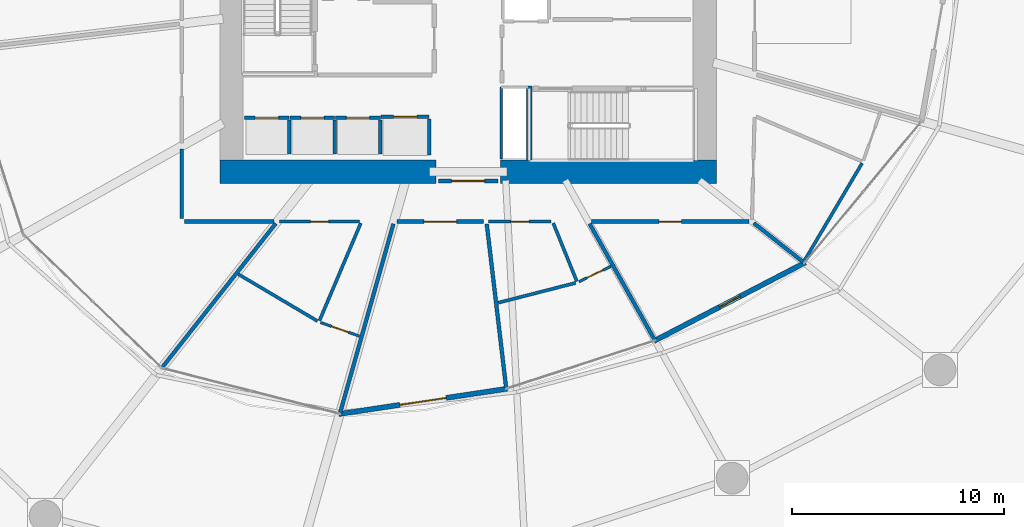
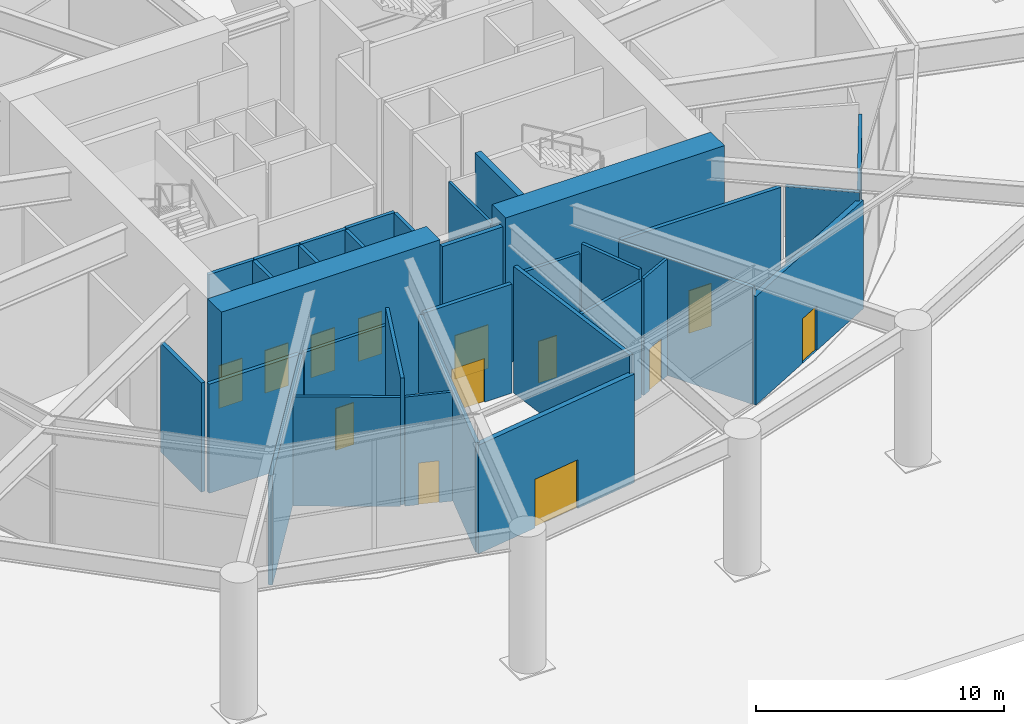
# One storey, part 21 of 28: 33 walls, 13 doors, 13 openings.
"""IFC4 building model written with IfcOpenShell, lengths in metres."""

from ifc_helpers import new_model, si_unit, direction, frame, frame_2d, origin, place, context, subcontext, project, spatial, rectangle, extrude, material, layer, layer_set, type_object, element, fill, save


model = new_model("IFC4")

# Units and contexts
model_context = context("Model", 3, precision=1e-05, world=origin(), true_north=direction((0.0, 1.0)))
body_context = subcontext(model_context, "Body", "Model", "MODEL_VIEW")
ifc_project = project(units=[si_unit("LENGTHUNIT", "METRE"), si_unit("AREAUNIT", "SQUARE_METRE"), si_unit("VOLUMEUNIT", "CUBIC_METRE"), si_unit("PLANEANGLEUNIT", "RADIAN"), si_unit("MASSUNIT", "GRAM", prefix="KILO")], contexts=[model_context])

# Site, building, storey
site_placement = place(None, origin())
site = spatial("IfcSite", under=ifc_project, at=site_placement, CompositionType="ELEMENT")
building_placement = place(site_placement, origin())
building = spatial("IfcBuilding", under=site, at=building_placement, Name="Kazma Halo Residences", CompositionType="ELEMENT")
storey_placement = place(building_placement, origin())
storey = spatial("IfcBuildingStorey", under=building, at=storey_placement, Name="L00", CompositionType="ELEMENT", Elevation=0.0)

# Walls
ifc_material_1 = material(Name="Concrete C80/95", Category="concrete")
ifc_layer_1 = layer(ifc_material_1, 1.10009765625)
ifc_layer_set_1 = layer_set([ifc_layer_1], Name="Concrete C80/95")
wall_type_1 = type_object("IfcWallType", Name="WL-CORE-1100", PredefinedType="SHEAR", material=ifc_layer_set_1)
for number, where, z_axis, x_axis, name in (
    (1, (36.699951171875, 33.449951171875, 0.0), (0.0, 0.0, 1.0), (1.0, 0.0, 0.0), "L00 central core shear wall SW"),
    (2, (49.949951171875, 33.449951171875, 0.0), (0.0, 0.0, 1.0), (1.0, 0.0, 0.0), "L00 central core shear wall SE"),
):
    element("IfcWall", number, at=place(storey_placement, frame(where, z_axis=z_axis, x_axis=x_axis)), inside=storey, type_object=wall_type_1, Name=name, PredefinedType="SHEAR", context=body_context, shape_type="SweptSolid", body=[
        extrude(rectangle(XDim=10.199951171875, YDim=1.10009765625, at=frame_2d((5.10009765625, 0.0))), origin(), (0.0, 0.0, 1.0), 7.199951171875),
    ])
ifc_material_2 = material(Name="Concrete C60/75", Category="concrete")
ifc_layer_2 = layer(ifc_material_2, 0.280029296875)
ifc_layer_set_2 = layer_set([ifc_layer_2], Name="Concrete C60/75")
wall_type_2 = type_object("IfcWallType", Name="WL-CORE-ST-280", PredefinedType="SHEAR", material=ifc_layer_set_2)
wall_1_placement = place(storey_placement, frame((51.31005859375, 34.0, 0.0), z_axis=(0.0, 0.0, 1.0), x_axis=(0.0, 1.0, 0.0)))
element("IfcWall", 3, at=wall_1_placement, inside=storey, type_object=wall_type_2, Name="L00 stairwell bearing wall ST03-W", PredefinedType="SHEAR", context=body_context, shape_type="SweptSolid", body=[
    extrude(rectangle(XDim=3.5, YDim=0.280029296875, at=frame_2d((1.75, 0.0))), origin(), (0.0, 0.0, 1.0), 7.199951171875),
])
ifc_material_3 = material(Name="Acoustic Twin-Stud Gypsum")
ifc_layer_3 = layer(ifc_material_3, 0.179931640625)
ifc_layer_set_3 = layer_set([ifc_layer_3], Name="Acoustic Twin-Stud Gypsum")
wall_type_3 = type_object("IfcWallType", Name="WL-DEM-180", PredefinedType="PARTITIONING", material=ifc_layer_set_3)
wall_2_placement = place(storey_placement, frame((34.89990234375, 34.523681640625, 0.0), z_axis=(0.0, 0.0, 1.0), x_axis=(0.0, -1.0, 0.0)))
element("IfcWall", 4, at=wall_2_placement, inside=storey, type_object=wall_type_3, Name="L00 Residents Cafe Lounge corridor wall", PredefinedType="PARTITIONING", context=body_context, shape_type="SweptSolid", body=[
    extrude(rectangle(XDim=3.28369140625, YDim=0.179931640625, at=frame_2d((1.641845703125, 0.0))), origin(), (0.0, 0.0, 1.0), 5.375),
])
wall_3_placement = place(storey_placement, frame((35.0400390625, 31.10009765625, 0.0), z_axis=(0.0, 0.0, 1.0), x_axis=(1.0, 0.0, 0.0)))
element("IfcWall", 5, at=wall_3_placement, inside=storey, type_object=wall_type_3, Name="L00 Residents Cafe Lounge corridor wall", PredefinedType="PARTITIONING", context=body_context, shape_type="SweptSolid", body=[
    extrude(rectangle(XDim=4.22705078125, YDim=0.179931640625, at=frame_2d((2.113525390625, 0.0))), origin(), (0.0, 0.0, 1.0), 5.375),
])
wall_4_placement = place(storey_placement, frame((39.339111328125, 31.013671875, 0.0), z_axis=(0.0, 0.0, 1.0), x_axis=(-0.619079077481, -0.785328654657, 0.0)))
element("IfcWall", 6, at=wall_4_placement, inside=storey, type_object=wall_type_3, Name="L00 radial partition wall 09", PredefinedType="PARTITIONING", context=body_context, shape_type="SweptSolid", body=[
    extrude(rectangle(XDim=8.671630859375, YDim=0.179931640625, at=frame_2d((4.3359375, 0.0))), origin(), (0.0, 0.0, 1.0), 5.375),
])
wall_5_placement = place(storey_placement, frame((44.89599609375, 30.994140625, 0.0), z_axis=(0.0, 0.0, 1.0), x_axis=(-0.271432731122, -0.962457413331, 0.0)))
element("IfcWall", 7, at=wall_5_placement, inside=storey, type_object=wall_type_3, Name="L00 radial partition wall 10", PredefinedType="PARTITIONING", context=body_context, shape_type="SweptSolid", body=[
    extrude(rectangle(XDim=9.30029296875, YDim=0.179931640625, at=frame_2d((4.650146484375, 0.0))), origin(), (0.0, 0.0, 1.0), 5.375),
])

# Wall, opening, door
wall_6_placement = place(storey_placement, frame((45.06591796875, 31.10009765625, 0.0), z_axis=(0.0, 0.0, 1.0), x_axis=(1.0, 0.0, 0.0)))
wall_6 = element("IfcWall", 8, at=wall_6_placement, inside=storey, type_object=wall_type_3, Name="L00 South Protected Exit Passageway corridor wall", PredefinedType="PARTITIONING", context=body_context, shape_type="SweptSolid", body=[
    extrude(rectangle(XDim=4.084228515625, YDim=0.179931640625, at=frame_2d((2.0419921875, 0.0))), origin(), (0.0, 0.0, 1.0), 5.375),
])
opening_1_placement = place(wall_6_placement, frame((1.26708984375, 0.0, 0.0)))
opening_1 = element("IfcOpeningElement", 9, at=opening_1_placement, cuts=wall_6, Name="Opening DF-1550", PredefinedType="OPENING", context=body_context, shape_type="SweptSolid", body=[
    extrude(rectangle(XDim=1.550048828125, YDim=2.14990234375, at=frame_2d((0.77490234375, 1.074951171875))), frame((0.0, 0.099853515625, 0.0), z_axis=(0.0, -1.0, 0.0), x_axis=(1.0, 0.0, 0.0)), (0.0, 0.0, 1.0), 0.199951171875),
])
ifc_material_4 = material(Name="Fire-Rated Double Steel Leaf", Category="steel")
door_type_1 = type_object("IfcDoorType", Name="DR-FD90-1550", OperationType="NOTDEFINED", PredefinedType="DOOR", material=ifc_material_4)
door_1_placement = place(opening_1_placement, origin())
door_1 = element("IfcDoor", 10, at=door_1_placement, inside=storey, type_object=door_type_1, Name="L00 South Protected Exit Passageway entrance door", OperationType="DOUBLE_DOOR_SINGLE_SWING", OverallHeight=2.14990234375, OverallWidth=1.550048828125, PredefinedType="DOOR", context=body_context, shape_type="SweptSolid", body=[
    extrude(rectangle(XDim=1.550048828125, YDim=2.14990234375, at=frame_2d((0.77490234375, 1.074951171875))), frame((0.0, 0.02490234375, 0.0), z_axis=(0.0, -1.0, 0.0), x_axis=(1.0, 0.0, 0.0)), (0.0, 0.0, 1.0), 0.050048828125),
])
fill(opening_1, door_1)

# Walls
wall_7_placement = place(storey_placement, frame((49.302978515625, 30.99072265625, 0.0), z_axis=(0.0, 0.0, 1.0), x_axis=(0.117524370387, -0.993069998724, 0.0)))
element("IfcWall", 11, at=wall_7_placement, inside=storey, type_object=wall_type_3, Name="L00 radial partition wall 11", PredefinedType="PARTITIONING", context=body_context, shape_type="SweptSolid", body=[
    extrude(rectangle(XDim=7.817138671875, YDim=0.179931640625, at=frame_2d((3.90869140625, 0.0))), origin(), (0.0, 0.0, 1.0), 6.239990234375),
])
wall_8_placement = place(storey_placement, frame((54.157958984375, 31.00390625, 0.0), z_axis=(0.0, 0.0, 1.0), x_axis=(0.488621069092, -0.872496103624, 0.0)))
element("IfcWall", 12, at=wall_8_placement, inside=storey, type_object=wall_type_3, Name="L00 radial partition wall 12", PredefinedType="PARTITIONING", context=body_context, shape_type="SweptSolid", body=[
    extrude(rectangle(XDim=6.300048828125, YDim=0.179931640625, at=frame_2d((3.14990234375, 0.0))), origin(), (0.0, 0.0, 1.0), 5.757080078125),
])

# Wall, opening, door
wall_9_placement = place(storey_placement, frame((54.244384765625, 31.10009765625, 0.0), z_axis=(0.0, 0.0, 1.0), x_axis=(1.0, 0.0, 0.0)))
wall_9 = element("IfcWall", 13, at=wall_9_placement, inside=storey, type_object=wall_type_3, Name="L00 Fire Command Centre corridor wall", PredefinedType="PARTITIONING", context=body_context, shape_type="SweptSolid", body=[
    extrude(rectangle(XDim=7.442138671875, YDim=0.179931640625, at=frame_2d((3.72119140625, 0.0))), origin(), (0.0, 0.0, 1.0), 5.757080078125),
])
opening_2_placement = place(wall_9_placement, frame((3.196044921875, 0.0, 0.0)))
opening_2 = element("IfcOpeningElement", 14, at=opening_2_placement, cuts=wall_9, Name="Opening DF-1050", PredefinedType="OPENING", context=body_context, shape_type="SweptSolid", body=[
    extrude(rectangle(XDim=1.050048828125, YDim=2.10009765625, at=frame_2d((0.52490234375, 1.050048828125))), frame((0.0, 0.099853515625, 0.0), z_axis=(0.0, -1.0, 0.0), x_axis=(1.0, 0.0, 0.0)), (0.0, 0.0, 1.0), 0.199951171875),
])
ifc_material_5 = material(Name="Fire-Rated Steel Leaf", Category="steel")
door_type_2 = type_object("IfcDoorType", Name="DR-FD90-1050", OperationType="NOTDEFINED", PredefinedType="DOOR", material=ifc_material_5)
door_2_placement = place(opening_2_placement, origin())
door_2 = element("IfcDoor", 15, at=door_2_placement, inside=storey, type_object=door_type_2, Name="L00 Fire Command Centre entrance door", OperationType="SINGLE_SWING_RIGHT", OverallHeight=2.10009765625, OverallWidth=1.050048828125, PredefinedType="DOOR", context=body_context, shape_type="SweptSolid", body=[
    extrude(rectangle(XDim=1.050048828125, YDim=2.10009765625, at=frame_2d((0.52490234375, 1.050048828125))), frame((0.0, 0.02490234375, 0.0), z_axis=(0.0, -1.0, 0.0), x_axis=(1.0, 0.0, 0.0)), (0.0, 0.0, 1.0), 0.050048828125),
])
fill(opening_2, door_2)

# Wall
wall_10_placement = place(storey_placement, frame((61.9130859375, 31.031982421875, 0.0), z_axis=(0.0, 0.0, 1.0), x_axis=(0.785290333853, -0.619127685988, 0.0)))
element("IfcWall", 16, at=wall_10_placement, inside=storey, type_object=wall_type_3, Name="L00 radial partition wall 13", PredefinedType="PARTITIONING", context=body_context, shape_type="SweptSolid", body=[
    extrude(rectangle(XDim=3.019287109375, YDim=0.179931640625, at=frame_2d((1.509765625, 0.0))), origin(), (0.0, 0.0, 1.0), 5.757080078125),
])

# Wall, opening, door
ifc_material_6 = material(Name="Insulated Pale-Metal Composite Wall")
ifc_layer_4 = layer(ifc_material_6, 0.239990234375)
ifc_layer_set_4 = layer_set([ifc_layer_4], Name="Insulated Pale-Metal Composite Wall")
wall_type_4 = type_object("IfcWallType", Name="WL-EXT-HOST-240", PredefinedType="SOLIDWALL", material=ifc_layer_set_4)
wall_11_placement = place(storey_placement, frame((50.274169921875, 23.21044921875, 0.0), z_axis=(0.0, 0.0, 1.0), x_axis=(-0.988842711484, -0.148963391291, 0.0)))
wall_11 = element("IfcWall", 17, at=wall_11_placement, inside=storey, type_object=wall_type_4, Name="L00 ground entrance enclosure wall 11", PredefinedType="SOLIDWALL", context=body_context, shape_type="SweptSolid", body=[
    extrude(rectangle(XDim=8.048828125, YDim=0.239990234375, at=frame_2d((4.0244140625, 0.0))), origin(), (0.0, 0.0, 1.0), 5.35009765625),
])
opening_3_placement = place(wall_11_placement, frame((2.92431640625, 0.0, 0.0)))
opening_3 = element("IfcOpeningElement", 18, at=opening_3_placement, cuts=wall_11, Name="Opening D-EX-03", PredefinedType="OPENING", context=body_context, shape_type="SweptSolid", body=[
    extrude(rectangle(XDim=2.199951171875, YDim=2.39990234375, at=frame_2d((1.10009765625, 1.199951171875))), frame((0.0, 0.1298828125, 0.0), z_axis=(0.0, -1.0, 0.0), x_axis=(1.0, 0.0, 0.0)), (0.0, 0.0, 1.0), 0.260009765625),
])
ifc_material_7 = material(Name="Aluminium AW-6063 T6 Thermally Broken Glazed Door", Category="aluminium")
door_type_3 = type_object("IfcDoorType", Name="DR-EXT-EXIT-2200", OperationType="NOTDEFINED", PredefinedType="DOOR", material=ifc_material_7)
door_3_placement = place(opening_3_placement, origin())
door_3 = element("IfcDoor", 19, at=door_3_placement, inside=storey, type_object=door_type_3, Name="L00 pedestrian final exit door D-EX-03", OperationType="DOUBLE_DOOR_SINGLE_SWING", OverallHeight=2.39990234375, OverallWidth=2.199951171875, PredefinedType="DOOR", context=body_context, shape_type="SweptSolid", body=[
    extrude(rectangle(XDim=2.199951171875, YDim=2.39990234375, at=frame_2d((1.10009765625, 1.199951171875))), frame((0.0, 0.02490234375, 0.0), z_axis=(0.0, -1.0, 0.0), x_axis=(1.0, 0.0, 0.0)), (0.0, 0.0, 1.0), 0.050048828125),
])
fill(opening_3, door_3)

wall_12_placement = place(storey_placement, frame((64.34814453125, 29.170166015625, 0.0), z_axis=(0.0, 0.0, 1.0), x_axis=(-0.887579557391, -0.460654457594, 0.0)))
wall_12 = element("IfcWall", 20, at=wall_12_placement, inside=storey, type_object=wall_type_4, Name="L00 Fire Command Centre exterior wall", PredefinedType="SOLIDWALL", context=body_context, shape_type="SweptSolid", body=[
    extrude(rectangle(XDim=8.048828125, YDim=0.239990234375, at=frame_2d((4.0244140625, 0.0))), origin(), (0.0, 0.0, 1.0), 5.35009765625),
])
opening_4_placement = place(wall_12_placement, frame((3.474365234375, 0.0, 0.0)))
opening_4 = element("IfcOpeningElement", 21, at=opening_4_placement, cuts=wall_12, Name="Opening DFCC-1100", PredefinedType="OPENING", context=body_context, shape_type="SweptSolid", body=[
    extrude(rectangle(XDim=1.10009765625, YDim=2.199951171875, at=frame_2d((0.550048828125, 1.10009765625))), frame((0.0, 0.1298828125, 0.0), z_axis=(0.0, -1.0, 0.0), x_axis=(1.0, 0.0, 0.0)), (0.0, 0.0, 1.0), 0.260009765625),
])
ifc_material_8 = material(Name="Insulated Painted Steel S355", Category="steel")
door_type_4 = type_object("IfcDoorType", Name="DR-EXT-FCC-1100", OperationType="NOTDEFINED", PredefinedType="DOOR", material=ifc_material_8)
door_4_placement = place(opening_4_placement, origin())
door_4 = element("IfcDoor", 22, at=door_4_placement, inside=storey, type_object=door_type_4, Name="L00 Fire Command Centre exterior entrance door", OperationType="SINGLE_SWING_LEFT", OverallHeight=2.199951171875, OverallWidth=1.10009765625, PredefinedType="DOOR", context=body_context, shape_type="SweptSolid", body=[
    extrude(rectangle(XDim=1.10009765625, YDim=2.199951171875, at=frame_2d((0.550048828125, 1.10009765625))), frame((0.0, 0.02490234375, 0.0), z_axis=(0.0, -1.0, 0.0), x_axis=(1.0, 0.0, 0.0)), (0.0, 0.0, 1.0), 0.050048828125),
])
fill(opening_4, door_4)

ifc_material_9 = material(Name="Fire-Rated Blockwork Masonry", Category="masonry")
ifc_layer_5 = layer(ifc_material_9, 0.199951171875)
ifc_layer_set_5 = layer_set([ifc_layer_5], Name="Fire-Rated Blockwork Masonry")
wall_type_5 = type_object("IfcWallType", Name="WL-FLB-200", PredefinedType="PARTITIONING", material=ifc_layer_set_5)
wall_13_placement = place(storey_placement, frame((37.864990234375, 36.0048828125, 0.0), z_axis=(0.0, 0.0, 1.0), x_axis=(1.0, 0.0, 0.0)))
wall_13 = element("IfcWall", 23, at=wall_13_placement, inside=storey, type_object=wall_type_5, Name="L00 lift shaft PL-01 front wall", PredefinedType="PARTITIONING", context=body_context, shape_type="SweptSolid", body=[
    extrude(rectangle(XDim=2.110107421875, YDim=0.159912109375, at=frame_2d((1.05517578125, 0.0))), origin(), (0.0, 0.0, 1.0), 6.800048828125),
])
opening_5_placement = place(wall_13_placement, frame((0.5048828125, 0.0, 0.0)))
opening_5 = element("IfcOpeningElement", 24, at=opening_5_placement, cuts=wall_13, Name="Opening LD-PL-01", PredefinedType="OPENING", context=body_context, shape_type="SweptSolid", body=[
    extrude(rectangle(XDim=1.10009765625, YDim=2.10009765625, at=frame_2d((0.550048828125, 1.050048828125))), frame((0.0, 0.08984375, 0.0), z_axis=(0.0, -1.0, 0.0), x_axis=(1.0, 0.0, 0.0)), (0.0, 0.0, 1.0), 0.179931640625),
])
ifc_material_10 = material(Name="Stainless Steel Fire-Rated", Category="steel")
door_type_5 = type_object("IfcDoorType", Name="DR-LIFT-SLD-1100", OperationType="DOUBLE_DOOR_SLIDING", PredefinedType="DOOR", material=ifc_material_10)
door_5_placement = place(opening_5_placement, origin())
door_5 = element("IfcDoor", 25, at=door_5_placement, inside=storey, type_object=door_type_5, Name="L00 lift PL-01 sliding landing door", OperationType="DOUBLE_DOOR_SLIDING", OverallHeight=2.10009765625, OverallWidth=1.10009765625, PredefinedType="DOOR", context=body_context, shape_type="SweptSolid", body=[
    extrude(rectangle(XDim=1.10009765625, YDim=2.10009765625, at=frame_2d((0.550048828125, 1.050048828125))), frame((0.0, 0.02490234375, 0.0), z_axis=(0.0, -1.0, 0.0), x_axis=(1.0, 0.0, 0.0)), (0.0, 0.0, 1.0), 0.050048828125),
])
fill(opening_5, door_5)

# Wall
wall_14_placement = place(storey_placement, frame((39.97509765625, 34.294921875, 0.0), z_axis=(0.0, 0.0, 1.0), x_axis=(0.0, 1.0, 0.0)))
element("IfcWall", 26, at=wall_14_placement, inside=storey, type_object=wall_type_5, Name="L00 lift shaft PL-01 side wall E", PredefinedType="PARTITIONING", context=body_context, shape_type="SweptSolid", body=[
    extrude(rectangle(XDim=1.610107421875, YDim=0.159912109375, at=frame_2d((0.80517578125, 0.0))), origin(), (0.0, 0.0, 1.0), 6.800048828125),
])

# Wall, opening, door
wall_15_placement = place(storey_placement, frame((40.014892578125, 36.0048828125, 0.0), z_axis=(0.0, 0.0, 1.0), x_axis=(1.0, 0.0, 0.0)))
wall_15 = element("IfcWall", 27, at=wall_15_placement, inside=storey, type_object=wall_type_5, Name="L00 lift shaft PL-02 front wall", PredefinedType="PARTITIONING", context=body_context, shape_type="SweptSolid", body=[
    extrude(rectangle(XDim=2.110107421875, YDim=0.159912109375, at=frame_2d((1.05517578125, 0.0))), origin(), (0.0, 0.0, 1.0), 6.800048828125),
])
opening_6_placement = place(wall_15_placement, frame((0.5048828125, 0.0, 0.0)))
opening_6 = element("IfcOpeningElement", 28, at=opening_6_placement, cuts=wall_15, Name="Opening LD-PL-02", PredefinedType="OPENING", context=body_context, shape_type="SweptSolid", body=[
    extrude(rectangle(XDim=1.10009765625, YDim=2.10009765625, at=frame_2d((0.550048828125, 1.050048828125))), frame((0.0, 0.08984375, 0.0), z_axis=(0.0, -1.0, 0.0), x_axis=(1.0, 0.0, 0.0)), (0.0, 0.0, 1.0), 0.179931640625),
])
door_6_placement = place(opening_6_placement, origin())
door_6 = element("IfcDoor", 29, at=door_6_placement, inside=storey, type_object=door_type_5, Name="L00 lift PL-02 sliding landing door", OperationType="DOUBLE_DOOR_SLIDING", OverallHeight=2.10009765625, OverallWidth=1.10009765625, PredefinedType="DOOR", context=body_context, shape_type="SweptSolid", body=[
    extrude(rectangle(XDim=1.10009765625, YDim=2.10009765625, at=frame_2d((0.550048828125, 1.050048828125))), frame((0.0, 0.02490234375, 0.0), z_axis=(0.0, -1.0, 0.0), x_axis=(1.0, 0.0, 0.0)), (0.0, 0.0, 1.0), 0.050048828125),
])
fill(opening_6, door_6)

# Wall
wall_16_placement = place(storey_placement, frame((42.125, 34.294921875, 0.0), z_axis=(0.0, 0.0, 1.0), x_axis=(0.0, 1.0, 0.0)))
element("IfcWall", 30, at=wall_16_placement, inside=storey, type_object=wall_type_5, Name="L00 lift shaft PL-02 side wall E", PredefinedType="PARTITIONING", context=body_context, shape_type="SweptSolid", body=[
    extrude(rectangle(XDim=1.610107421875, YDim=0.159912109375, at=frame_2d((0.80517578125, 0.0))), origin(), (0.0, 0.0, 1.0), 6.800048828125),
])

# Wall, opening, door
wall_17_placement = place(storey_placement, frame((42.1650390625, 36.0048828125, 0.0), z_axis=(0.0, 0.0, 1.0), x_axis=(1.0, 0.0, 0.0)))
wall_17 = element("IfcWall", 31, at=wall_17_placement, inside=storey, type_object=wall_type_5, Name="L00 lift shaft PL-03 front wall", PredefinedType="PARTITIONING", context=body_context, shape_type="SweptSolid", body=[
    extrude(rectangle(XDim=2.10986328125, YDim=0.159912109375, at=frame_2d((1.054931640625, 0.0))), origin(), (0.0, 0.0, 1.0), 6.800048828125),
])
opening_7_placement = place(wall_17_placement, frame((0.5048828125, 0.0, 0.0)))
opening_7 = element("IfcOpeningElement", 32, at=opening_7_placement, cuts=wall_17, Name="Opening LD-PL-03", PredefinedType="OPENING", context=body_context, shape_type="SweptSolid", body=[
    extrude(rectangle(XDim=1.10009765625, YDim=2.10009765625, at=frame_2d((0.550048828125, 1.050048828125))), frame((0.0, 0.08984375, 0.0), z_axis=(0.0, -1.0, 0.0), x_axis=(1.0, 0.0, 0.0)), (0.0, 0.0, 1.0), 0.179931640625),
])
door_7_placement = place(opening_7_placement, origin())
door_7 = element("IfcDoor", 33, at=door_7_placement, inside=storey, type_object=door_type_5, Name="L00 lift PL-03 sliding landing door", OperationType="DOUBLE_DOOR_SLIDING", OverallHeight=2.10009765625, OverallWidth=1.10009765625, PredefinedType="DOOR", context=body_context, shape_type="SweptSolid", body=[
    extrude(rectangle(XDim=1.10009765625, YDim=2.10009765625, at=frame_2d((0.550048828125, 1.050048828125))), frame((0.0, 0.02490234375, 0.0), z_axis=(0.0, -1.0, 0.0), x_axis=(1.0, 0.0, 0.0)), (0.0, 0.0, 1.0), 0.050048828125),
])
fill(opening_7, door_7)

# Wall
wall_18_placement = place(storey_placement, frame((44.27490234375, 34.294921875, 0.0), z_axis=(0.0, 0.0, 1.0), x_axis=(0.0, 1.0, 0.0)))
element("IfcWall", 34, at=wall_18_placement, inside=storey, type_object=wall_type_5, Name="L00 lift shaft PL-03 side wall E", PredefinedType="PARTITIONING", context=body_context, shape_type="SweptSolid", body=[
    extrude(rectangle(XDim=1.610107421875, YDim=0.159912109375, at=frame_2d((0.80517578125, 0.0))), origin(), (0.0, 0.0, 1.0), 6.800048828125),
])

# Wall, opening, door
wall_19_placement = place(storey_placement, frame((44.320068359375, 36.054931640625, 0.0), z_axis=(0.0, 0.0, 1.0), x_axis=(1.0, 0.0, 0.0)))
wall_19 = element("IfcWall", 35, at=wall_19_placement, inside=storey, type_object=wall_type_5, Name="L00 lift shaft PX-02 front wall", PredefinedType="PARTITIONING", context=body_context, shape_type="SweptSolid", body=[
    extrude(rectangle(XDim=2.260009765625, YDim=0.159912109375, at=frame_2d((1.1298828125, 0.0))), origin(), (0.0, 0.0, 1.0), 6.800048828125),
])
opening_8_placement = place(wall_19_placement, frame((0.580078125, 0.0, 0.0)))
opening_8 = element("IfcOpeningElement", 36, at=opening_8_placement, cuts=wall_19, Name="Opening LD-PX-02", PredefinedType="OPENING", context=body_context, shape_type="SweptSolid", body=[
    extrude(rectangle(XDim=1.10009765625, YDim=2.10009765625, at=frame_2d((0.550048828125, 1.050048828125))), frame((0.0, 0.08984375, 0.0), z_axis=(0.0, -1.0, 0.0), x_axis=(1.0, 0.0, 0.0)), (0.0, 0.0, 1.0), 0.179931640625),
])
door_8_placement = place(opening_8_placement, origin())
door_8 = element("IfcDoor", 37, at=door_8_placement, inside=storey, type_object=door_type_5, Name="L00 lift PX-02 sliding landing door", OperationType="DOUBLE_DOOR_SLIDING", OverallHeight=2.10009765625, OverallWidth=1.10009765625, PredefinedType="DOOR", context=body_context, shape_type="SweptSolid", body=[
    extrude(rectangle(XDim=1.10009765625, YDim=2.10009765625, at=frame_2d((0.550048828125, 1.050048828125))), frame((0.0, 0.02490234375, 0.0), z_axis=(0.0, -1.0, 0.0), x_axis=(1.0, 0.0, 0.0)), (0.0, 0.0, 1.0), 0.050048828125),
])
fill(opening_8, door_8)

# Wall
wall_20_placement = place(storey_placement, frame((46.580078125, 34.2451171875, 0.0), z_axis=(0.0, 0.0, 1.0), x_axis=(0.0, 1.0, 0.0)))
element("IfcWall", 38, at=wall_20_placement, inside=storey, type_object=wall_type_5, Name="L00 lift shaft PX-02 side wall E", PredefinedType="PARTITIONING", context=body_context, shape_type="SweptSolid", body=[
    extrude(rectangle(XDim=1.7099609375, YDim=0.159912109375, at=frame_2d((0.85498046875, 0.0))), origin(), (0.0, 0.0, 1.0), 6.800048828125),
])

# Wall, opening, door
wall_21_placement = place(storey_placement, frame((47.02001953125, 33.02001953125, 0.0), z_axis=(0.0, 0.0, 1.0), x_axis=(1.0, 0.0, 0.0)))
wall_21 = element("IfcWall", 39, at=wall_21_placement, inside=storey, type_object=wall_type_5, Name="L00 south protected core exit portal smoke wall", PredefinedType="PARTITIONING", context=body_context, shape_type="SweptSolid", body=[
    extrude(rectangle(XDim=2.81005859375, YDim=0.199951171875, at=frame_2d((1.405029296875, 0.0))), origin(), (0.0, 0.0, 1.0), 6.800048828125),
])
opening_9_placement = place(wall_21_placement, frame((0.6298828125, 0.0, 0.0)))
opening_9 = element("IfcOpeningElement", 40, at=opening_9_placement, cuts=wall_21, Name="Opening DF-1550", PredefinedType="OPENING", context=body_context, shape_type="SweptSolid", body=[
    extrude(rectangle(XDim=1.550048828125, YDim=2.14990234375, at=frame_2d((0.77490234375, 1.074951171875))), frame((0.0, 0.10986328125, 0.0), z_axis=(0.0, -1.0, 0.0), x_axis=(1.0, 0.0, 0.0)), (0.0, 0.0, 1.0), 0.219970703125),
])
door_9_placement = place(opening_9_placement, origin())
door_9 = element("IfcDoor", 41, at=door_9_placement, inside=storey, type_object=door_type_1, Name="L00 south protected core exit smoke door", OperationType="DOUBLE_DOOR_SINGLE_SWING", OverallHeight=2.14990234375, OverallWidth=1.550048828125, PredefinedType="DOOR", context=body_context, shape_type="SweptSolid", body=[
    extrude(rectangle(XDim=1.550048828125, YDim=2.14990234375, at=frame_2d((0.77490234375, 1.074951171875))), frame((0.0, 0.02490234375, 0.0), z_axis=(0.0, -1.0, 0.0), x_axis=(1.0, 0.0, 0.0)), (0.0, 0.0, 1.0), 0.050048828125),
])
fill(opening_9, door_9)

# Wall
ifc_material_11 = material(Name="Gypsum Plasterboard Partition")
ifc_layer_6 = layer(ifc_material_11, 0.125)
ifc_layer_set_6 = layer_set([ifc_layer_6], Name="Gypsum Plasterboard Partition")
wall_type_6 = type_object("IfcWallType", Name="WL-PART-125", PredefinedType="PARTITIONING", material=ifc_layer_set_6)
wall_22_placement = place(storey_placement, frame((49.97998046875, 34.06005859375, 0.0), z_axis=(0.0, 0.0, 1.0), x_axis=(0.0, 1.0, 0.0)))
element("IfcWall", 42, at=wall_22_placement, inside=storey, type_object=wall_type_6, Name="L00 standpipe riser wall", PredefinedType="PARTITIONING", context=body_context, shape_type="SweptSolid", body=[
    extrude(rectangle(XDim=3.39990234375, YDim=0.125, at=frame_2d((1.699951171875, 0.0))), origin(), (0.0, 0.0, 1.0), 6.239990234375),
])

# Wall, opening, door
wall_23_placement = place(storey_placement, frame((41.45458984375, 26.33740234375, 0.0), z_axis=(0.0, 0.0, 1.0), x_axis=(0.943522494941, -0.331308468863, 0.0)))
wall_23 = element("IfcWall", 43, at=wall_23_placement, inside=storey, type_object=wall_type_6, Name="L00 supply store wall", PredefinedType="PARTITIONING", context=body_context, shape_type="SweptSolid", body=[
    extrude(rectangle(XDim=1.9521484375, YDim=0.125, at=frame_2d((0.97607421875, 0.0))), origin(), (0.0, 0.0, 1.0), 5.375),
])
opening_10_placement = place(wall_23_placement, frame((0.551025390625, 0.0, 0.0)))
opening_10 = element("IfcOpeningElement", 44, at=opening_10_placement, cuts=wall_23, Name="Opening DS-850", PredefinedType="OPENING", context=body_context, shape_type="SweptSolid", body=[
    extrude(rectangle(XDim=0.85009765625, YDim=2.06005859375, at=frame_2d((0.425048828125, 1.030029296875))), frame((0.0, 0.072509765625, 0.0), z_axis=(0.0, -1.0, 0.0), x_axis=(1.0, 0.0, 0.0)), (0.0, 0.0, 1.0), 0.14501953125),
])
ifc_material_12 = material(Name="Painted Steel Access Leaf", Category="steel")
door_type_6 = type_object("IfcDoorType", Name="DR-SVC-850", OperationType="NOTDEFINED", PredefinedType="DOOR", material=ifc_material_12)
door_10_placement = place(opening_10_placement, origin())
door_10 = element("IfcDoor", 45, at=door_10_placement, inside=storey, type_object=door_type_6, Name="L00 supply store door", OperationType="SINGLE_SWING_RIGHT", OverallHeight=2.06005859375, OverallWidth=0.85009765625, PredefinedType="DOOR", context=body_context, shape_type="SweptSolid", body=[
    extrude(rectangle(XDim=0.85009765625, YDim=2.06005859375, at=frame_2d((0.425048828125, 1.030029296875))), frame((0.0, 0.02490234375, 0.0), z_axis=(0.0, -1.0, 0.0), x_axis=(1.0, 0.0, 0.0)), (0.0, 0.0, 1.0), 0.050048828125),
])
fill(opening_10, door_10)

wall_24_placement = place(storey_placement, frame((53.65087890625, 28.261474609375, 0.0), z_axis=(0.0, 0.0, 1.0), x_axis=(0.90143718487, 0.432909923348, 0.0)))
wall_24 = element("IfcWall", 46, at=wall_24_placement, inside=storey, type_object=wall_type_6, Name="L00 supply store wall", PredefinedType="PARTITIONING", context=body_context, shape_type="SweptSolid", body=[
    extrude(rectangle(XDim=1.686279296875, YDim=0.125, at=frame_2d((0.84326171875, 0.0))), origin(), (0.0, 0.0, 1.0), 5.757080078125),
])
opening_11_placement = place(wall_24_placement, frame((0.418212890625, 0.0, 0.0)))
opening_11 = element("IfcOpeningElement", 47, at=opening_11_placement, cuts=wall_24, Name="Opening DS-850", PredefinedType="OPENING", context=body_context, shape_type="SweptSolid", body=[
    extrude(rectangle(XDim=0.85009765625, YDim=2.06005859375, at=frame_2d((0.425048828125, 1.030029296875))), frame((0.0, 0.072509765625, 0.0), z_axis=(0.0, -1.0, 0.0), x_axis=(1.0, 0.0, 0.0)), (0.0, 0.0, 1.0), 0.14501953125),
])
door_11_placement = place(opening_11_placement, origin())
door_11 = element("IfcDoor", 48, at=door_11_placement, inside=storey, type_object=door_type_6, Name="L00 supply store door", OperationType="SINGLE_SWING_RIGHT", OverallHeight=2.06005859375, OverallWidth=0.85009765625, PredefinedType="DOOR", context=body_context, shape_type="SweptSolid", body=[
    extrude(rectangle(XDim=0.85009765625, YDim=2.06005859375, at=frame_2d((0.425048828125, 1.030029296875))), frame((0.0, 0.02490234375, 0.0), z_axis=(0.0, -1.0, 0.0), x_axis=(1.0, 0.0, 0.0)), (0.0, 0.0, 1.0), 0.050048828125),
])
fill(opening_11, door_11)

ifc_material_13 = material(Name="Moisture-Resistant Gypsum")
ifc_layer_7 = layer(ifc_material_13, 0.14990234375)
ifc_layer_set_7 = layer_set([ifc_layer_7], Name="Moisture-Resistant Gypsum")
wall_type_7 = type_object("IfcWallType", Name="WL-WET-150", PredefinedType="PARTITIONING", material=ifc_layer_set_7)
wall_25_placement = place(storey_placement, frame((39.507080078125, 31.10009765625, 0.0), z_axis=(0.0, 0.0, 1.0), x_axis=(1.0, 0.0, 0.0)))
wall_25 = element("IfcWall", 49, at=wall_25_placement, inside=storey, type_object=wall_type_7, Name="L00 Ground Accessible WC corridor wall", PredefinedType="PARTITIONING", context=body_context, shape_type="SweptSolid", body=[
    extrude(rectangle(XDim=3.79736328125, YDim=0.14990234375, at=frame_2d((1.898681640625, 0.0))), origin(), (0.0, 0.0, 1.0), 5.375),
])
opening_12_placement = place(wall_25_placement, frame((1.4736328125, 0.0, 0.0)))
opening_12 = element("IfcOpeningElement", 50, at=opening_12_placement, cuts=wall_25, Name="Opening DB-900", PredefinedType="OPENING", context=body_context, shape_type="SweptSolid", body=[
    extrude(rectangle(XDim=0.85009765625, YDim=2.06005859375, at=frame_2d((0.425048828125, 1.030029296875))), frame((0.0, 0.0849609375, 0.0), z_axis=(0.0, -1.0, 0.0), x_axis=(1.0, 0.0, 0.0)), (0.0, 0.0, 1.0), 0.169921875),
])
ifc_material_14 = material(Name="Moisture-Sealed Timber Leaf", Category="wood")
door_type_7 = type_object("IfcDoorType", Name="DR-BTH-900", OperationType="NOTDEFINED", PredefinedType="DOOR", material=ifc_material_14)
door_12_placement = place(opening_12_placement, origin())
door_12 = element("IfcDoor", 51, at=door_12_placement, inside=storey, type_object=door_type_7, Name="L00 Ground Accessible WC door", OperationType="SINGLE_SWING_LEFT", OverallHeight=2.06005859375, OverallWidth=0.85009765625, PredefinedType="DOOR", context=body_context, shape_type="SweptSolid", body=[
    extrude(rectangle(XDim=0.85009765625, YDim=2.06005859375, at=frame_2d((0.425048828125, 1.030029296875))), frame((0.0, 0.02490234375, 0.0), z_axis=(0.0, -1.0, 0.0), x_axis=(1.0, 0.0, 0.0)), (0.0, 0.0, 1.0), 0.050048828125),
])
fill(opening_12, door_12)

# Walls
wall_26_placement = place(storey_placement, frame((43.353271484375, 31.0263671875, 0.0), z_axis=(0.0, 0.0, 1.0), x_axis=(-0.389934465456, -0.92084261014, 0.0)))
element("IfcWall", 52, at=wall_26_placement, inside=storey, type_object=wall_type_7, Name="L00 Ground Accessible WC side wall", PredefinedType="PARTITIONING", context=body_context, shape_type="SweptSolid", body=[
    extrude(rectangle(XDim=5.003173828125, YDim=0.14990234375, at=frame_2d((2.50146484375, 0.0))), origin(), (0.0, 0.0, 1.0), 6.239990234375),
])
wall_27_placement = place(storey_placement, frame((37.573974609375, 28.614501953125, 0.0), z_axis=(0.0, 0.0, 1.0), x_axis=(0.860721546392, -0.509076044984, 0.0)))
element("IfcWall", 53, at=wall_27_placement, inside=storey, type_object=wall_type_7, Name="L00 Ground Accessible WC back wall", PredefinedType="PARTITIONING", context=body_context, shape_type="SweptSolid", body=[
    extrude(rectangle(XDim=4.340576171875, YDim=0.14990234375, at=frame_2d((2.17041015625, 0.0))), origin(), (0.0, 0.0, 1.0), 5.375),
])

# Wall, opening, door
wall_28_placement = place(storey_placement, frame((49.39013671875, 31.10009765625, 0.0), z_axis=(0.0, 0.0, 1.0), x_axis=(1.0, 0.0, 0.0)))
wall_28 = element("IfcWall", 54, at=wall_28_placement, inside=storey, type_object=wall_type_7, Name="L00 Ground Public Male WC corridor wall", PredefinedType="PARTITIONING", context=body_context, shape_type="SweptSolid", body=[
    extrude(rectangle(XDim=2.94482421875, YDim=0.14990234375, at=frame_2d((1.472412109375, 0.0))), origin(), (0.0, 0.0, 1.0), 5.757080078125),
])
opening_13_placement = place(wall_28_placement, frame((1.047607421875, 0.0, 0.0)))
opening_13 = element("IfcOpeningElement", 55, at=opening_13_placement, cuts=wall_28, Name="Opening DB-900", PredefinedType="OPENING", context=body_context, shape_type="SweptSolid", body=[
    extrude(rectangle(XDim=0.85009765625, YDim=2.06005859375, at=frame_2d((0.425048828125, 1.030029296875))), frame((0.0, 0.0849609375, 0.0), z_axis=(0.0, -1.0, 0.0), x_axis=(1.0, 0.0, 0.0)), (0.0, 0.0, 1.0), 0.169921875),
])
door_13_placement = place(opening_13_placement, origin())
door_13 = element("IfcDoor", 56, at=door_13_placement, inside=storey, type_object=door_type_7, Name="L00 Ground Public Male WC door", OperationType="SINGLE_SWING_LEFT", OverallHeight=2.06005859375, OverallWidth=0.85009765625, PredefinedType="DOOR", context=body_context, shape_type="SweptSolid", body=[
    extrude(rectangle(XDim=0.85009765625, YDim=2.06005859375, at=frame_2d((0.425048828125, 1.030029296875))), frame((0.0, 0.02490234375, 0.0), z_axis=(0.0, -1.0, 0.0), x_axis=(1.0, 0.0, 0.0)), (0.0, 0.0, 1.0), 0.050048828125),
])
fill(opening_13, door_13)

# Walls
wall_29_placement = place(storey_placement, frame((52.445068359375, 31.02587890625, 0.0), z_axis=(0.0, 0.0, 1.0), x_axis=(0.375383430631, -0.926869613272, 0.0)))
element("IfcWall", 57, at=wall_29_placement, inside=storey, type_object=wall_type_7, Name="L00 Ground Public Male WC side wall", PredefinedType="PARTITIONING", context=body_context, shape_type="SweptSolid", body=[
    extrude(rectangle(XDim=2.9599609375, YDim=0.14990234375, at=frame_2d((1.47998046875, 0.0))), origin(), (0.0, 0.0, 1.0), 6.239990234375),
])
wall_30_placement = place(storey_placement, frame((49.843505859375, 27.267822265625, 0.0), z_axis=(0.0, 0.0, 1.0), x_axis=(0.968578859701, 0.248706639519, 0.0)))
element("IfcWall", 58, at=wall_30_placement, inside=storey, type_object=wall_type_7, Name="L00 Ground Public Male WC back wall", PredefinedType="PARTITIONING", context=body_context, shape_type="SweptSolid", body=[
    extrude(rectangle(XDim=3.7763671875, YDim=0.14990234375, at=frame_2d((1.88818359375, 0.0))), origin(), (0.0, 0.0, 1.0), 5.757080078125),
])
wall_31_placement = place(storey_placement, frame((64.311767578125, 29.26708984375, 0.0), z_axis=(0.0, 0.0, 1.0), x_axis=(0.509025413434, 0.860751490547, 0.0)))
element("IfcWall", 59, at=wall_31_placement, inside=storey, type_object=wall_type_7, Name="L00 Ground Public Female WC back wall", PredefinedType="PARTITIONING", context=body_context, shape_type="SweptSolid", body=[
    extrude(rectangle(XDim=5.3330078125, YDim=0.14990234375, at=frame_2d((2.66650390625, 0.0))), origin(), (0.0, 0.0, 1.0), 5.757080078125),
])

save(model, "model.ifc")
